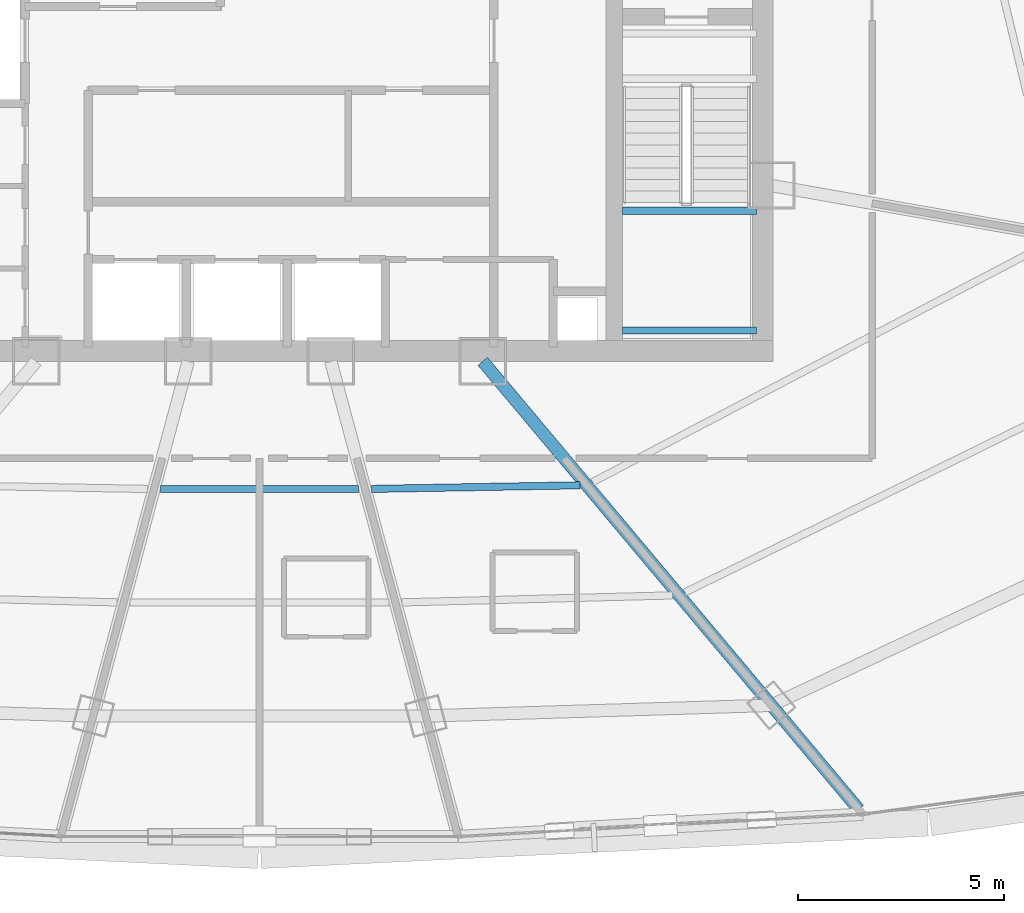
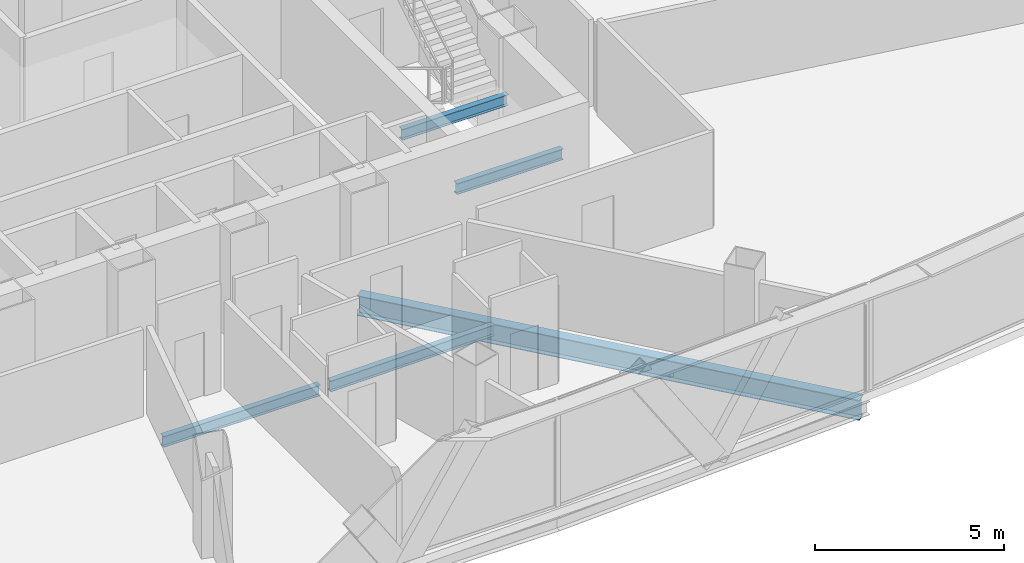
# One storey, part 11 of 34: 5 beams.
"""IFC4 building model written with IfcOpenShell, lengths in metres."""

from ifc_helpers import new_model, si_unit, direction, frame, origin, origin_2d, place, context, subcontext, project, spatial, i_section, extrude, source, transform, mapped, material, material_profile, profile_set, type_object, element, save


model = new_model("IFC4")

# Units and contexts
model_context = context("Model", 3, precision=1e-05, world=origin(), true_north=direction((0.0, 1.0)))
body_context = subcontext(model_context, "Body", "Model", "MODEL_VIEW")
ifc_project = project(units=[si_unit("LENGTHUNIT", "METRE"), si_unit("AREAUNIT", "SQUARE_METRE"), si_unit("VOLUMEUNIT", "CUBIC_METRE"), si_unit("PLANEANGLEUNIT", "RADIAN"), si_unit("MASSUNIT", "GRAM", prefix="KILO"), si_unit("THERMODYNAMICTEMPERATUREUNIT", "KELVIN"), si_unit("POWERUNIT", "WATT")], contexts=[model_context])

# Site, building, storey
site_placement = place(None, origin())
site = spatial("IfcSite", under=ifc_project, at=site_placement, CompositionType="ELEMENT")
building_placement = place(site_placement, origin())
building = spatial("IfcBuilding", under=site, at=building_placement, Name="Yunzhuo Pagoda Commons", CompositionType="ELEMENT")
storey_placement = place(building_placement, frame((0.0, 0.0, 233.340087890625)))
storey = spatial("IfcBuildingStorey", under=building, at=storey_placement, Name="L58", CompositionType="ELEMENT", Elevation=233.340087890625)

# Beams
ifc_material = material(Name="Structural steel Q355B", Category="steel")
ifc_material_profile_1 = material_profile(ifc_material, i_section(OverallWidth=0.175048828125, OverallDepth=0.35009765625, WebThickness=0.007080078125, FlangeThickness=0.010986328125, at=origin_2d()), Name="Structural steel Q355B")
ifc_profile_set_1 = profile_set([ifc_material_profile_1], Name="Structural steel Q355B")
beam_type_1 = type_object("IfcBeamType", Name="B-JS2 Joist HN 350x175x7x11", PredefinedType="JOIST", material=ifc_profile_set_1)
shared_shape_1 = source(origin(), body_context, "Body", "SweptSolid", [
    extrude(i_section(OverallWidth=0.175048828125, OverallDepth=0.35009765625, WebThickness=0.007080078125, FlangeThickness=0.010986328125, at=origin_2d()), origin(), (0.0, 0.0, 1.0), 3.25),
])
for number, where, z_axis, x_axis, name in (
    (1, (56.800048828125, 28.0, 1.489990234375), (1.0, 0.0, 0.0), (0.0, 1.0, 0.0), "L58 ST2 landing support beam 64A"),
    (2, (56.800048828125, 30.89990234375, 1.489990234375), (1.0, 0.0, 0.0), (0.0, 1.0, 0.0), "L58 ST2 landing support beam 64B"),
):
    element("IfcBeam", number, at=place(storey_placement, frame(where, z_axis=z_axis, x_axis=x_axis)), inside=storey, type_object=beam_type_1, Name=name, PredefinedType="JOIST", context=body_context, shape_type="MappedRepresentation", body=[
        mapped(shared_shape_1, transform((0.0, 0.0, 0.0), scale=1.0)),
    ])
ifc_material_profile_2 = material_profile(ifc_material, i_section(OverallWidth=0.300048828125, OverallDepth=0.64990234375, WebThickness=0.012939453125, FlangeThickness=0.02197265625, at=origin_2d()), Name="Structural steel Q355B")
ifc_profile_set_2 = profile_set([ifc_material_profile_2], Name="Structural steel Q355B")
beam_type_2 = type_object("IfcBeamType", Name="B-RG2 Beam HN 650x300x13x22", PredefinedType="BEAM", material=ifc_profile_set_2)
shared_shape_2 = source(origin(), body_context, "Body", "SweptSolid", [
    extrude(i_section(OverallWidth=0.300048828125, OverallDepth=0.64990234375, WebThickness=0.012939453125, FlangeThickness=0.02197265625, at=origin_2d()), origin(), (0.0, 0.0, 1.0), 14.174072265625),
])
beam_1_placement = place(storey_placement, frame((62.52294921875, 16.39208984375, -0.585205078125), z_axis=(-0.642786427105, 0.766045435421, 0.0), x_axis=(-0.766045435421, -0.642786427105, 0.0)))
element("IfcBeam", 3, at=beam_1_placement, inside=storey, type_object=beam_type_2, Name="L58 radial floor girder F1C4", PredefinedType="BEAM", context=body_context, shape_type="MappedRepresentation", body=[
    mapped(shared_shape_2, transform((0.0, 0.0, 0.0), scale=1.0)),
])
shared_shape_3 = source(origin(), body_context, "Body", "SweptSolid", [
    extrude(i_section(OverallWidth=0.175048828125, OverallDepth=0.35009765625, WebThickness=0.007080078125, FlangeThickness=0.010986328125, at=origin_2d()), origin(), (0.0, 0.0, 1.0), 5.0556640625),
])
beam_2_placement = place(storey_placement, frame((50.716552734375, 24.158203125, -0.43505859375), z_axis=(0.999848878561, 0.017384477, 0.0), x_axis=(-0.017384477, 0.999848878561, 0.0)))
element("IfcBeam", 4, at=beam_2_placement, inside=storey, type_object=beam_type_1, Name="L58 composite ring joist 1.3", PredefinedType="JOIST", context=body_context, shape_type="MappedRepresentation", body=[
    mapped(shared_shape_3, transform((0.0, 0.0, 0.0), scale=1.0)),
])
shared_shape_4 = source(origin(), body_context, "Body", "SweptSolid", [
    extrude(i_section(OverallWidth=0.175048828125, OverallDepth=0.35009765625, WebThickness=0.007080078125, FlangeThickness=0.010986328125, at=origin_2d()), origin(), (0.0, 0.0, 1.0), 4.796875),
])
beam_3_placement = place(storey_placement, frame((45.601806640625, 24.155517578125, -0.43505859375), z_axis=(1.0, 0.0, 0.0), x_axis=(0.0, 1.0, 0.0)))
element("IfcBeam", 5, at=beam_3_placement, inside=storey, type_object=beam_type_1, Name="L58 composite ring joist 1.2", PredefinedType="JOIST", context=body_context, shape_type="MappedRepresentation", body=[
    mapped(shared_shape_4, transform((0.0, 0.0, 0.0), scale=1.0)),
])

save(model, "model.ifc")
